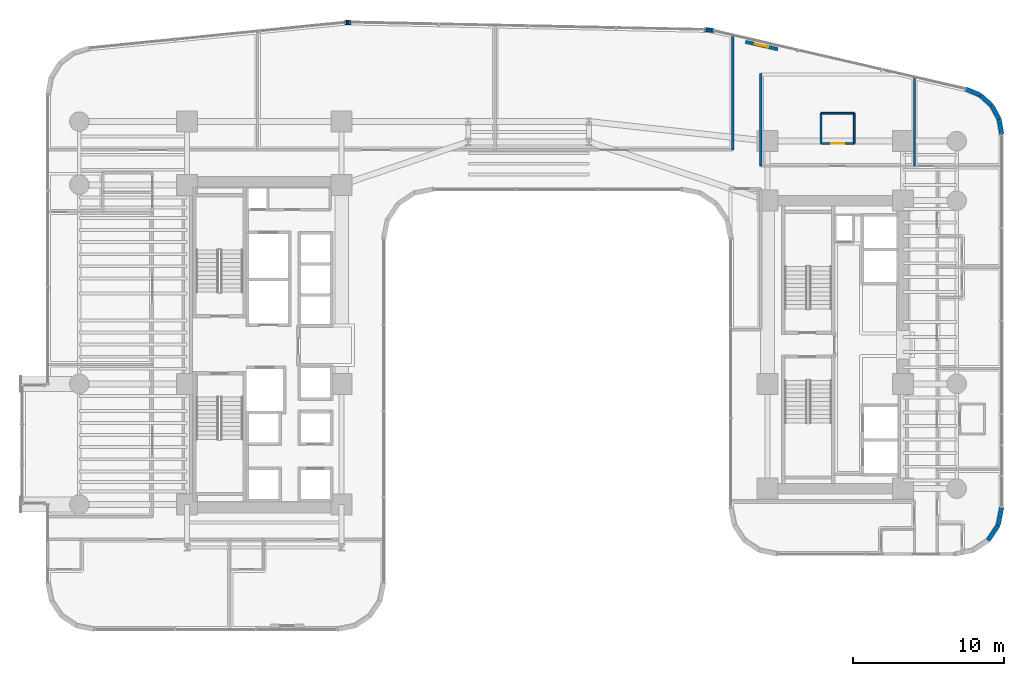
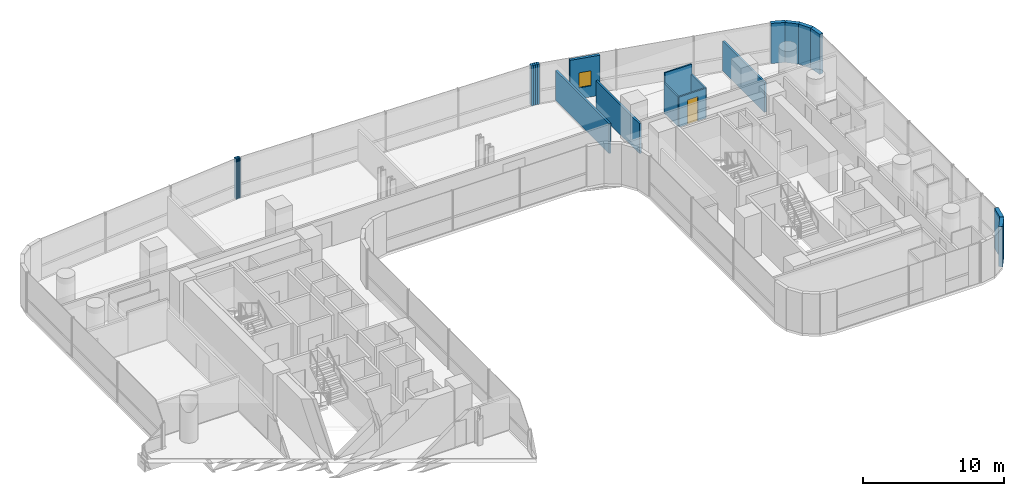
# One storey, part 34 of 40: 22 walls, 1 door, 1 window, 2 openings.
"""IFC4 building model written with IfcOpenShell, lengths in metres."""

import ifcopenshell
import ifcopenshell.guid

model = None  # the IFC model being written
_history = None  # IfcOwnerHistory: only IFC2X3 demands one
_inside = {}  # id of a spatial element -> (the spatial element, [elements in it])
_under = {}  # id of a project, library or spatial element -> (it, [spatial elements below it])
_declared = {}  # id of a project -> (the project, [libraries it declares])
_typed = {}  # id of a type object -> (the type object, [elements of that type])
_made_of = {}  # id of a material, layer set ... -> (it, [elements and type objects made of it])


def new_model(schema):
    """Start an empty IFC model of exactly this schema.

    Asked for "IFC4X3", IfcOpenShell would pick the latest addendum, in which some entities
    have other attributes; the version numbers below select the first issue.
    IFC2X3 requires an IfcOwnerHistory on every rooted entity: one is made here for all.
    """
    global model, _history
    if schema == "IFC4X3":
        model = ifcopenshell.file(schema_version=(4, 3, 0, 0))
    else:
        model = ifcopenshell.file(schema=schema)
    _inside.clear()
    _under.clear()
    _declared.clear()
    _typed.clear()
    _made_of.clear()
    _history = None
    if model.schema == "IFC2X3":
        org = make("IfcOrganization", Name="unknown")
        user = make(
            "IfcPersonAndOrganization",
            ThePerson=make("IfcPerson", FamilyName="unknown"),
            TheOrganization=org,
        )
        app = make(
            "IfcApplication",
            ApplicationDeveloper=org,
            Version="unknown",
            ApplicationFullName="unknown",
            ApplicationIdentifier="unknown",
        )
        _history = make(
            "IfcOwnerHistory",
            OwningUser=user,
            OwningApplication=app,
            ChangeAction="ADDED",
            CreationDate=0,
        )
    return model


def make(cls, **values):
    """One entity of the class cls with the attributes given. An attribute that is None is left unset."""
    return model.create_entity(
        cls, **{name: value for name, value in values.items() if value is not None}
    )


def rooted(cls, **values):
    """An entity with a GlobalId (a new one), such as an element, a storey or a relation."""
    return make(cls, GlobalId=ifcopenshell.guid.new(), OwnerHistory=_history, **values)


def si_unit(unit_type, name, prefix=None):
    """IfcSIUnit, for example si_unit("LENGTHUNIT", "METRE", prefix="MILLI")."""
    return make("IfcSIUnit", UnitType=unit_type, Prefix=prefix, Name=name)


def assignment(units):
    """IfcUnitAssignment: the units of a project."""
    return None if units is None else make("IfcUnitAssignment", Units=units)


def point(xyz):
    """IfcCartesianPoint."""
    return None if xyz is None else make("IfcCartesianPoint", Coordinates=xyz)


def direction(xyz):
    """IfcDirection."""
    return None if xyz is None else make("IfcDirection", DirectionRatios=xyz)


def frame(location, z_axis=None, x_axis=None):
    """IfcAxis2Placement3D, a coordinate frame: its origin and axes. An axis left out is left unset."""
    return make(
        "IfcAxis2Placement3D",
        Location=point(location),
        Axis=direction(z_axis),
        RefDirection=direction(x_axis),
    )


def frame_2d(location, x_axis=None):
    """IfcAxis2Placement2D, a coordinate frame in the plane: its origin and x axis."""
    return make(
        "IfcAxis2Placement2D", Location=point(location), RefDirection=direction(x_axis)
    )


def origin():
    """The frame at (0, 0, 0) with its axes left unset."""
    return frame((0.0, 0.0, 0.0))


def place(relative_to, where):
    """IfcLocalPlacement: puts the frame where relative to a parent placement (None: the world)."""
    return make(
        "IfcLocalPlacement", PlacementRelTo=relative_to, RelativePlacement=where
    )


def context(
    kind, dimensions, precision=None, world=None, true_north=None, identifier=None
):
    """IfcGeometricRepresentationContext, for example the 3D "Model" context."""
    return make(
        "IfcGeometricRepresentationContext",
        ContextIdentifier=identifier,
        ContextType=kind,
        CoordinateSpaceDimension=dimensions,
        Precision=precision,
        WorldCoordinateSystem=world,
        TrueNorth=true_north,
    )


def subcontext(parent, identifier, kind, view, scale=None):
    """IfcGeometricRepresentationSubContext, for example "Body" below "Model"."""
    return make(
        "IfcGeometricRepresentationSubContext",
        ContextIdentifier=identifier,
        ContextType=kind,
        ParentContext=parent,
        TargetScale=scale,
        TargetView=view,
    )


def project(units=None, contexts=None):
    """IfcProject with its units and contexts."""
    return rooted(
        "IfcProject",
        Name="project",
        RepresentationContexts=contexts,
        UnitsInContext=assignment(units),
    )


def spatial(cls, under=None, at=None, **own):
    """A site, building, storey or space (cls), placed at a placement, below another one or the project."""
    s = rooted(cls, ObjectPlacement=at, **own)
    if under is not None:
        _under.setdefault(under.id(), (under, []))[1].append(s)
    return s


def profile(cls, at=None, kind="AREA", **sizes):
    """A parametric profile (cls). Its sizes go by their IFC names, for example OverallWidth=200.0."""
    return make(cls, ProfileType=kind, Position=at, **sizes)


def rectangle(**sizes):
    """IfcRectangleProfileDef."""
    return profile("IfcRectangleProfileDef", **sizes)


def extrude(swept, where, along, depth):
    """IfcExtrudedAreaSolid: the profile swept, set in the frame where, extruded along a direction by depth."""
    return make(
        "IfcExtrudedAreaSolid",
        SweptArea=swept,
        Position=where,
        ExtrudedDirection=direction(along),
        Depth=depth,
    )


def shape(context_of_items, identifier, shape_type, items):
    """IfcShapeRepresentation: the items that make up one representation, for example the "Body"."""
    return make(
        "IfcShapeRepresentation",
        ContextOfItems=context_of_items,
        RepresentationIdentifier=identifier,
        RepresentationType=shape_type,
        Items=items,
    )


def material(Name=None, Category=None):
    """IfcMaterial."""
    return make("IfcMaterial", Name=Name, Category=Category)


def layer(
    of_material, thickness, ventilated=None, Name=None, Category=None, Priority=None
):
    """IfcMaterialLayer: one layer of a wall or slab, of a material (None: an air gap)."""
    return make(
        "IfcMaterialLayer",
        Material=of_material,
        LayerThickness=thickness,
        IsVentilated=ventilated,
        Name=Name,
        Category=Category,
        Priority=Priority,
    )


def layer_set(layers, Name=None):
    """IfcMaterialLayerSet."""
    return make("IfcMaterialLayerSet", MaterialLayers=layers, LayerSetName=Name)


def made_of(thing, what):
    """Note that an element or type object is made of a material, layer set ...; save() writes the relation."""
    if what is not None:
        _made_of.setdefault(what.id(), (what, []))[1].append(thing)
    return thing


def type_object(cls, material=None, **own):
    """A type object (cls), such as IfcWallType, which elements share."""
    return made_of(rooted(cls, **own), material)


def element(
    cls,
    number,
    at=None,
    inside=None,
    cuts=None,
    type_object=None,
    material=None,
    context=None,
    identifier="Body",
    shape_type=None,
    held_by="IfcProductDefinitionShape",
    body=None,
    shapes=None,
    **own,
):
    """One element of the class cls, such as IfcWall. Its Tag is "e" and its number.

    at: its placement. inside: the storey or other place that contains it. cuts: it is an
    opening in that element (IfcRelVoidsElement). A single representation is given by context,
    identifier, shape_type and body (its items); several are given by shapes. held_by: the class
    of the entity that holds the representations. save() writes the other relations.
    """
    e = rooted(cls, Tag="e%d" % number, ObjectPlacement=at, **own)
    if body is not None:
        shapes = [shape(context, identifier, shape_type, body)]
    if shapes is not None:
        e.Representation = make(held_by, Representations=shapes)
    if inside is not None:
        _inside.setdefault(inside.id(), (inside, []))[1].append(e)
    if cuts is not None:
        rooted(
            "IfcRelVoidsElement", RelatingBuildingElement=cuts, RelatedOpeningElement=e
        )
    if type_object is not None:
        _typed.setdefault(type_object.id(), (type_object, []))[1].append(e)
    return made_of(e, material)


def fill(opening, filler):
    """IfcRelFillsElement: the door or window that sits in an opening."""
    return rooted(
        "IfcRelFillsElement",
        RelatingOpeningElement=opening,
        RelatedBuildingElement=filler,
    )


def aggregate(whole, parts):
    """IfcRelAggregates: a whole, such as a stair, and the parts it consists of."""
    return rooted("IfcRelAggregates", RelatingObject=whole, RelatedObjects=parts)


def save(model, path):
    """Write the relations noted so far, then the file.

    IfcRelAggregates (storeys below a building ...), IfcRelContainedInSpatialStructure (elements
    in a storey), IfcRelDefinesByType, IfcRelAssociatesMaterial and IfcRelDeclares: one each for
    every whole, place, type object, material and project.
    """
    for whole, parts in _under.values():
        aggregate(whole, parts)
    for where, things in _inside.values():
        rooted(
            "IfcRelContainedInSpatialStructure",
            RelatedElements=things,
            RelatingStructure=where,
        )
    for kind, things in _typed.values():
        rooted("IfcRelDefinesByType", RelatedObjects=things, RelatingType=kind)
    for what, things in _made_of.values():
        rooted("IfcRelAssociatesMaterial", RelatedObjects=things, RelatingMaterial=what)
    for by, libraries in _declared.values():
        rooted("IfcRelDeclares", RelatingContext=by, RelatedDefinitions=libraries)
    model.write(path)


model = new_model("IFC4")

# Units and contexts
model_context = context("Model", 3, precision=1e-05, world=origin(), true_north=direction((0.0, 1.0)))
body_context = subcontext(model_context, "Body", "Model", "MODEL_VIEW")
ifc_project = project(units=[si_unit("LENGTHUNIT", "METRE"), si_unit("AREAUNIT", "SQUARE_METRE"), si_unit("VOLUMEUNIT", "CUBIC_METRE"), si_unit("PLANEANGLEUNIT", "RADIAN"), si_unit("MASSUNIT", "GRAM", prefix="KILO")], contexts=[model_context])

# Site, building, storey
site_placement = place(None, origin())
site = spatial("IfcSite", under=ifc_project, at=site_placement, CompositionType="ELEMENT")
building_placement = place(site_placement, origin())
building = spatial("IfcBuilding", under=site, at=building_placement, Name="Valdorenza Pilgrim Sanctuary Tower", CompositionType="ELEMENT")
storey_placement = place(building_placement, frame((0.0, 0.0, 66.699951171875)))
storey = spatial("IfcBuildingStorey", under=building, at=storey_placement, Name="L16", CompositionType="ELEMENT", Elevation=66.699951171875)

# Walls
ifc_material_1 = material(Name="Acoustic twin-stud gypsum partition", Category="gypsum")
ifc_layer_1 = layer(ifc_material_1, 0.159912109375, Name="Acoustic twin-stud gypsum partition")
ifc_layer_set_1 = layer_set([ifc_layer_1], Name="Acoustic twin-stud gypsum partition")
wall_type_1 = type_object("IfcWallType", Name="WAL-COR-160", PredefinedType="PARTITIONING", material=ifc_layer_set_1)
wall_1_placement = place(storey_placement, frame((13.550048828125, 12.919921875, 0.0), z_axis=(0.0, 0.0, 1.0), x_axis=(0.0, 1.0, 0.0)))
element("IfcWall", 1, at=wall_1_placement, inside=storey, type_object=wall_type_1, Name="L16 North Band East Closure", PredefinedType="PARTITIONING", context=body_context, shape_type="SweptSolid", body=[
    extrude(rectangle(XDim=7.609375, YDim=0.159912109375, at=frame_2d((3.8046875, 0.0))), origin(), (0.0, 0.0, 1.0), 2.5830078125),
])
wall_2_placement = place(storey_placement, frame((15.39990234375, 11.85009765625, 0.0), z_axis=(0.0, 0.0, 1.0), x_axis=(0.0, 1.0, 0.0)))
element("IfcWall", 2, at=wall_2_placement, inside=storey, type_object=wall_type_1, Name="L16 Wing B North West Wall", PredefinedType="PARTITIONING", context=body_context, shape_type="SweptSolid", body=[
    extrude(rectangle(XDim=6.14990234375, YDim=0.159912109375, at=frame_2d((3.074951171875, 0.0))), origin(), (0.0, 0.0, 1.0), 2.5830078125),
])
wall_3_placement = place(storey_placement, frame((25.60009765625, 11.85009765625, 0.0), z_axis=(0.0, 0.0, 1.0), x_axis=(0.0, 1.0, 0.0)))
element("IfcWall", 3, at=wall_3_placement, inside=storey, type_object=wall_type_1, Name="L16 Wing B North East Wall", PredefinedType="PARTITIONING", context=body_context, shape_type="SweptSolid", body=[
    extrude(rectangle(XDim=5.8984375, YDim=0.159912109375, at=frame_2d((2.94921875, 0.0))), origin(), (0.0, 0.0, 1.0), 2.5830078125),
])
ifc_material_2 = material(Name="Honed travertine limestone", Category="masonry")
ifc_layer_2 = layer(ifc_material_2, 0.300048828125, Name="Honed travertine limestone")
ifc_layer_set_2 = layer_set([ifc_layer_2], Name="Honed travertine limestone")
wall_type_2 = type_object("IfcWallType", Name="WAL-EXT-300", PredefinedType="SOLIDWALL", material=ifc_layer_set_2)
wall_4_placement = place(storey_placement, frame((-12.181884765625, 21.371337890625, 0.0), z_axis=(0.0, 0.0, 1.0), x_axis=(0.996527790842, 0.08326080759, 0.0)))
element("IfcWall", 4, at=wall_4_placement, inside=storey, type_object=wall_type_2, Name="L16 Rounded Wind-Corner Stone Pier 7", PredefinedType="SOLIDWALL", context=body_context, shape_type="SweptSolid", body=[
    extrude(rectangle(XDim=0.09375, YDim=0.300048828125, at=frame_2d((0.046875, 0.0))), origin(), (0.0, 0.0, 1.0), 3.4599609375),
])
wall_5_placement = place(storey_placement, frame((-12.08837890625, 21.379150390625, 0.0), z_axis=(0.0, 0.0, 1.0), x_axis=(0.998476480444, 0.055178963393, 0.0)))
element("IfcWall", 5, at=wall_5_placement, inside=storey, type_object=wall_type_2, Name="L16 Rounded Wind-Corner Stone Pier 8", PredefinedType="SOLIDWALL", context=body_context, shape_type="SweptSolid", body=[
    extrude(rectangle(XDim=0.093017578125, YDim=0.300048828125, at=frame_2d((0.04638671875, 0.0))), origin(), (0.0, 0.0, 1.0), 3.4599609375),
])
wall_6_placement = place(storey_placement, frame((-11.99560546875, 21.38427734375, 0.0), z_axis=(0.0, 0.0, 1.0), x_axis=(0.999722573757, 0.023553673204, 0.0)))
element("IfcWall", 6, at=wall_6_placement, inside=storey, type_object=wall_type_2, Name="L16 Rounded Wind-Corner Stone Pier 9", PredefinedType="SOLIDWALL", context=body_context, shape_type="SweptSolid", body=[
    extrude(rectangle(XDim=0.09326171875, YDim=0.300048828125, at=frame_2d((0.046630859375, 0.0))), origin(), (0.0, 0.0, 1.0), 3.4599609375),
])
wall_7_placement = place(storey_placement, frame((-11.90234375, 21.386474609375, 0.0), z_axis=(0.0, 0.0, 1.0), x_axis=(0.999986507273, -0.005194735103, 0.0)))
element("IfcWall", 7, at=wall_7_placement, inside=storey, type_object=wall_type_2, Name="L16 Rounded Wind-Corner Stone Pier 10", PredefinedType="SOLIDWALL", context=body_context, shape_type="SweptSolid", body=[
    extrude(rectangle(XDim=0.093994140625, YDim=0.300048828125, at=frame_2d((0.046875, 0.0))), origin(), (0.0, 0.0, 1.0), 3.4599609375),
])
wall_8_placement = place(storey_placement, frame((11.665771484375, 20.89697265625, 0.0), z_axis=(0.0, 0.0, 1.0), x_axis=(0.998885297239, -0.047203421059, 0.0)))
element("IfcWall", 8, at=wall_8_placement, inside=storey, type_object=wall_type_2, Name="L16 Rounded Wind-Corner Stone Pier 12", PredefinedType="SOLIDWALL", context=body_context, shape_type="SweptSolid", body=[
    extrude(rectangle(XDim=0.160400390625, YDim=0.300048828125, at=frame_2d((0.080078125, 0.0))), origin(), (0.0, 0.0, 1.0), 3.4599609375),
])
wall_9_placement = place(storey_placement, frame((11.825927734375, 20.889404296875, 0.0), z_axis=(0.0, 0.0, 1.0), x_axis=(0.995172891136, -0.098137234257, 0.0)))
element("IfcWall", 9, at=wall_9_placement, inside=storey, type_object=wall_type_2, Name="L16 Rounded Wind-Corner Stone Pier 13", PredefinedType="SOLIDWALL", context=body_context, shape_type="SweptSolid", body=[
    extrude(rectangle(XDim=0.1591796875, YDim=0.300048828125, at=frame_2d((0.07958984375, 0.0))), origin(), (0.0, 0.0, 1.0), 3.4599609375),
])
wall_10_placement = place(storey_placement, frame((11.984375, 20.873779296875, 0.0), z_axis=(0.0, 0.0, 1.0), x_axis=(0.988846069207, -0.148941100486, 0.0)))
element("IfcWall", 10, at=wall_10_placement, inside=storey, type_object=wall_type_2, Name="L16 Rounded Wind-Corner Stone Pier 14", PredefinedType="SOLIDWALL", context=body_context, shape_type="SweptSolid", body=[
    extrude(rectangle(XDim=0.158935546875, YDim=0.300048828125, at=frame_2d((0.07958984375, 0.0))), origin(), (0.0, 0.0, 1.0), 3.4599609375),
])
wall_11_placement = place(storey_placement, frame((12.1416015625, 20.85009765625, 0.0), z_axis=(0.0, 0.0, 1.0), x_axis=(0.979991950448, -0.19903712482, 0.0)))
element("IfcWall", 11, at=wall_11_placement, inside=storey, type_object=wall_type_2, Name="L16 Rounded Wind-Corner Stone Pier 15", PredefinedType="SOLIDWALL", context=body_context, shape_type="SweptSolid", body=[
    extrude(rectangle(XDim=0.16064453125, YDim=0.300048828125, at=frame_2d((0.080322265625, 0.0))), origin(), (0.0, 0.0, 1.0), 3.4599609375),
])

# Wall, opening, window
wall_12_placement = place(storey_placement, frame((14.388671875, 20.089599609375, 0.0), z_axis=(0.0, 0.0, 1.0), x_axis=(0.974400545997, -0.224818984875, 0.0)))
wall_12 = element("IfcWall", 12, at=wall_12_placement, inside=storey, type_object=wall_type_2, Name="L16 Operable Ventilation Sash Jamb Pier", PredefinedType="SOLIDWALL", context=body_context, shape_type="SweptSolid", body=[
    extrude(rectangle(XDim=2.2001953125, YDim=0.219970703125, at=frame_2d((1.10009765625, 0.0))), origin(), (0.0, 0.0, 1.0), 3.4599609375),
])
opening_1_placement = place(wall_12_placement, frame((0.64990234375, 0.0, 0.949951171875)))
opening_1 = element("IfcOpeningElement", 13, at=opening_1_placement, cuts=wall_12, Name="Opening WN-OP1", PredefinedType="OPENING", context=body_context, shape_type="SweptSolid", body=[
    extrude(rectangle(XDim=0.89990234375, YDim=1.300048828125, at=frame_2d((0.449951171875, 0.64990234375))), frame((0.0, 0.125, 0.0), z_axis=(0.0, -1.0, 0.0), x_axis=(1.0, 0.0, 0.0)), (0.0, 0.0, 1.0), 0.249755859375),
])
ifc_material_3 = material(Name="Ceramic-fritted low-E IGU glazing", Category="glass")
window_type = type_object("IfcWindowType", Name="WIN-OPN-900", PartitioningType="SINGLE_PANEL", PredefinedType="WINDOW", material=ifc_material_3)
window_placement = place(opening_1_placement, origin())
window = element("IfcWindow", 14, at=window_placement, inside=storey, type_object=window_type, Name="L16 Parallel-Pop-Out Operable Facade Panel", OverallHeight=1.300048828125, OverallWidth=0.89990234375, PartitioningType="SINGLE_PANEL", PredefinedType="WINDOW", context=body_context, shape_type="SweptSolid", body=[
    extrude(rectangle(XDim=0.89990234375, YDim=1.300048828125, at=frame_2d((0.449951171875, 0.64990234375))), frame((0.0, 0.030029296875, 0.0), z_axis=(0.0, -1.0, 0.0), x_axis=(1.0, 0.0, 0.0)), (0.0, 0.0, 1.0), 0.06005859375),
])
fill(opening_1, window)

# Walls
wall_13_placement = place(storey_placement, frame((28.98583984375, 16.96728515625, 0.0), z_axis=(0.0, 0.0, 1.0), x_axis=(0.923083852684, -0.384598753136, 0.0)))
element("IfcWall", 15, at=wall_13_placement, inside=storey, type_object=wall_type_2, Name="L16 Rounded Wind-Corner Stone Pier 17", PredefinedType="SOLIDWALL", context=body_context, shape_type="SweptSolid", body=[
    extrude(rectangle(XDim=1.042236328125, YDim=0.300048828125, at=frame_2d((0.52099609375, 0.0))), origin(), (0.0, 0.0, 1.0), 3.4599609375),
])
wall_14_placement = place(storey_placement, frame((29.947998046875, 16.56640625, 0.0), z_axis=(0.0, 0.0, 1.0), x_axis=(0.744585645533, -0.66752694063, 0.0)))
element("IfcWall", 16, at=wall_14_placement, inside=storey, type_object=wall_type_2, Name="L16 Rounded Wind-Corner Stone Pier 18", PredefinedType="SOLIDWALL", context=body_context, shape_type="SweptSolid", body=[
    extrude(rectangle(XDim=1.032958984375, YDim=0.300048828125, at=frame_2d((0.5166015625, 0.0))), origin(), (0.0, 0.0, 1.0), 3.4599609375),
])
wall_15_placement = place(storey_placement, frame((30.717041015625, 15.876953125, 0.0), z_axis=(0.0, 0.0, 1.0), x_axis=(0.482971098131, -0.875636293429, 0.0)))
element("IfcWall", 17, at=wall_15_placement, inside=storey, type_object=wall_type_2, Name="L16 Rounded Wind-Corner Stone Pier 19", PredefinedType="SOLIDWALL", context=body_context, shape_type="SweptSolid", body=[
    extrude(rectangle(XDim=1.03271484375, YDim=0.300048828125, at=frame_2d((0.516357421875, 0.0))), origin(), (0.0, 0.0, 1.0), 3.4599609375),
])
wall_16_placement = place(storey_placement, frame((31.2158203125, 14.97265625, 0.0), z_axis=(0.0, 0.0, 1.0), x_axis=(0.167019462117, -0.985953598946, 0.0)))
element("IfcWall", 18, at=wall_16_placement, inside=storey, type_object=wall_type_2, Name="L16 Rounded Wind-Corner Stone Pier 20", PredefinedType="SOLIDWALL", context=body_context, shape_type="SweptSolid", body=[
    extrude(rectangle(XDim=1.042236328125, YDim=0.300048828125, at=frame_2d((0.52099609375, 0.0))), origin(), (0.0, 0.0, 1.0), 3.4599609375),
])
wall_17_placement = place(storey_placement, frame((31.389892578125, -10.789306640625, 0.0), z_axis=(0.0, 0.0, 1.0), x_axis=(-0.194996050505, -0.980804027463, 0.0)))
element("IfcWall", 19, at=wall_17_placement, inside=storey, type_object=wall_type_2, Name="L16 Rounded Wind-Corner Stone Pier 22", PredefinedType="SOLIDWALL", context=body_context, shape_type="SweptSolid", body=[
    extrude(rectangle(XDim=1.2158203125, YDim=0.300048828125, at=frame_2d((0.60791015625, 0.0))), origin(), (0.0, 0.0, 1.0), 3.4599609375),
])
wall_18_placement = place(storey_placement, frame((31.15283203125, -11.981689453125, 0.0), z_axis=(0.0, 0.0, 1.0), x_axis=(-0.555635100982, -0.831426265255, 0.0)))
element("IfcWall", 20, at=wall_18_placement, inside=storey, type_object=wall_type_2, Name="L16 Rounded Wind-Corner Stone Pier 23", PredefinedType="SOLIDWALL", context=body_context, shape_type="SweptSolid", body=[
    extrude(rectangle(XDim=1.204833984375, YDim=0.300048828125, at=frame_2d((0.6025390625, 0.0))), origin(), (0.0, 0.0, 1.0), 3.4599609375),
])
ifc_material_4 = material(Name="Moisture-resistant gypsum partition", Category="gypsum")
ifc_layer_3 = layer(ifc_material_4, 0.1201171875, Name="Moisture-resistant gypsum partition")
ifc_layer_set_3 = layer_set([ifc_layer_3], Name="Moisture-resistant gypsum partition")
wall_type_3 = type_object("IfcWallType", Name="WAL-INT-120", PredefinedType="PARTITIONING", material=ifc_layer_set_3)
for number, where, z_axis, x_axis, name in (
    (21, (19.39990234375, 13.35009765625, 0.0), (0.0, 0.0, 1.0), (0.0, 1.0, 0.0), "L16 East North Guest Room L16-EN1 En-suite West Wall"),
    (22, (21.60009765625, 13.35009765625, 0.0), (0.0, 0.0, 1.0), (0.0, 1.0, 0.0), "L16 East North Guest Room L16-EN1 En-suite East Wall"),
):
    element("IfcWall", number, at=place(storey_placement, frame(where, z_axis=z_axis, x_axis=x_axis)), inside=storey, type_object=wall_type_3, Name=name, PredefinedType="PARTITIONING", context=body_context, shape_type="SweptSolid", body=[
        extrude(rectangle(XDim=2.0, YDim=0.1201171875, at=frame_2d((1.0, 0.0))), origin(), (0.0, 0.0, 1.0), 2.5830078125),
    ])
wall_19_placement = place(storey_placement, frame((19.39990234375, 15.35009765625, 0.0), z_axis=(0.0, 0.0, 1.0), x_axis=(1.0, 0.0, 0.0)))
element("IfcWall", 23, at=wall_19_placement, inside=storey, type_object=wall_type_3, Name="L16 East North Guest Room L16-EN1 En-suite Back Wall", PredefinedType="PARTITIONING", context=body_context, shape_type="SweptSolid", body=[
    extrude(rectangle(XDim=2.2001953125, YDim=0.1201171875, at=frame_2d((1.10009765625, 0.0))), origin(), (0.0, 0.0, 1.0), 3.4599609375),
])

# Wall, opening, door
wall_20_placement = place(storey_placement, frame((19.39990234375, 13.35009765625, 0.0), z_axis=(0.0, 0.0, 1.0), x_axis=(1.0, 0.0, 0.0)))
wall_20 = element("IfcWall", 24, at=wall_20_placement, inside=storey, type_object=wall_type_3, Name="L16 East North Guest Room L16-EN1 En-suite Door Wall", PredefinedType="PARTITIONING", context=body_context, shape_type="SweptSolid", body=[
    extrude(rectangle(XDim=2.2001953125, YDim=0.1201171875, at=frame_2d((1.10009765625, 0.0))), origin(), (0.0, 0.0, 1.0), 2.5830078125),
])
opening_2_placement = place(wall_20_placement, frame((0.675048828125, 0.0, 0.0)))
opening_2 = element("IfcOpeningElement", 25, at=opening_2_placement, cuts=wall_20, Name="Opening DR-WC1", PredefinedType="OPENING", context=body_context, shape_type="SweptSolid", body=[
    extrude(rectangle(XDim=0.85009765625, YDim=2.10009765625, at=frame_2d((0.425048828125, 1.050048828125))), frame((0.0, 0.074951171875, 0.0), z_axis=(0.0, -1.0, 0.0), x_axis=(1.0, 0.0, 0.0)), (0.0, 0.0, 1.0), 0.14990234375),
])
ifc_material_5 = material(Name="Moisture-resistant lacquered timber", Category="wood")
door_type = type_object("IfcDoorType", Name="DR-BATH-850", OperationType="NOTDEFINED", PredefinedType="DOOR", material=ifc_material_5)
door_placement = place(opening_2_placement, origin())
door = element("IfcDoor", 26, at=door_placement, inside=storey, type_object=door_type, Name="L16 East North Guest Room L16-EN1 En-suite Bathroom Door", OperationType="SINGLE_SWING_RIGHT", OverallHeight=2.10009765625, OverallWidth=0.85009765625, PredefinedType="DOOR", context=body_context, shape_type="SweptSolid", body=[
    extrude(rectangle(XDim=0.85009765625, YDim=2.10009765625, at=frame_2d((0.425048828125, 1.050048828125))), frame((0.0, 0.02490234375, 0.0), z_axis=(0.0, -1.0, 0.0), x_axis=(1.0, 0.0, 0.0)), (0.0, 0.0, 1.0), 0.050048828125),
])
fill(opening_2, door)

save(model, "model.ifc")
